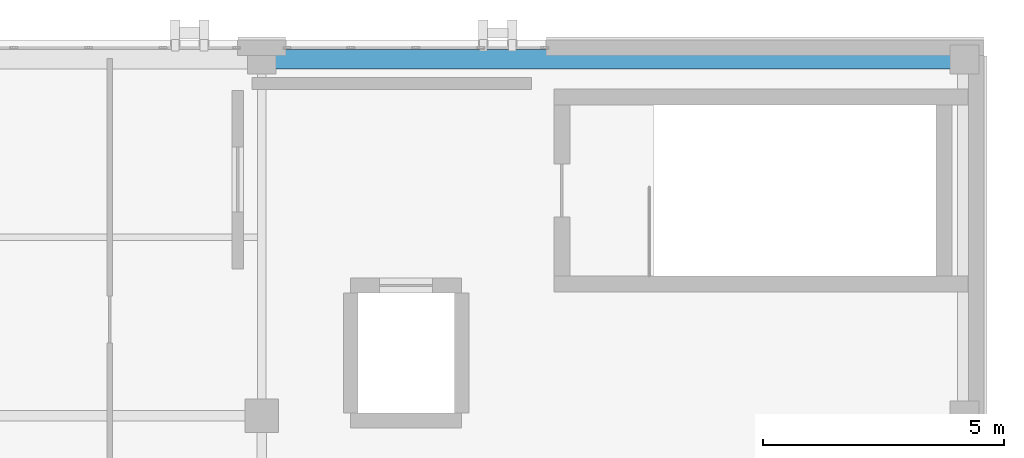
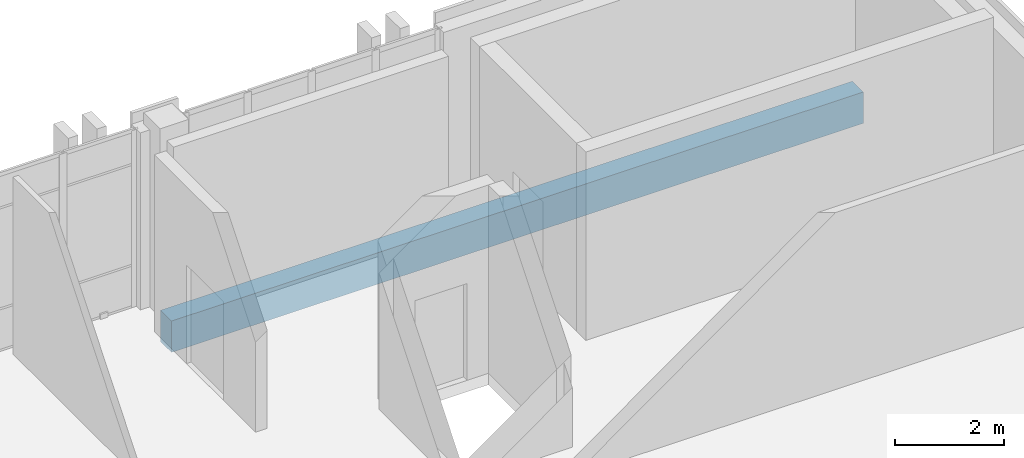
# One storey, part 11 of 19: 1 beam.
"""IFC4 building model written with IfcOpenShell, lengths in metres."""

import ifcopenshell
import ifcopenshell.guid

model = None  # the IFC model being written
_history = None  # IfcOwnerHistory: only IFC2X3 demands one
_inside = {}  # id of a spatial element -> (the spatial element, [elements in it])
_under = {}  # id of a project, library or spatial element -> (it, [spatial elements below it])
_declared = {}  # id of a project -> (the project, [libraries it declares])
_typed = {}  # id of a type object -> (the type object, [elements of that type])
_made_of = {}  # id of a material, layer set ... -> (it, [elements and type objects made of it])


def new_model(schema):
    """Start an empty IFC model of exactly this schema.

    Asked for "IFC4X3", IfcOpenShell would pick the latest addendum, in which some entities
    have other attributes; the version numbers below select the first issue.
    IFC2X3 requires an IfcOwnerHistory on every rooted entity: one is made here for all.
    """
    global model, _history
    if schema == "IFC4X3":
        model = ifcopenshell.file(schema_version=(4, 3, 0, 0))
    else:
        model = ifcopenshell.file(schema=schema)
    _inside.clear()
    _under.clear()
    _declared.clear()
    _typed.clear()
    _made_of.clear()
    _history = None
    if model.schema == "IFC2X3":
        org = make("IfcOrganization", Name="unknown")
        user = make(
            "IfcPersonAndOrganization",
            ThePerson=make("IfcPerson", FamilyName="unknown"),
            TheOrganization=org,
        )
        app = make(
            "IfcApplication",
            ApplicationDeveloper=org,
            Version="unknown",
            ApplicationFullName="unknown",
            ApplicationIdentifier="unknown",
        )
        _history = make(
            "IfcOwnerHistory",
            OwningUser=user,
            OwningApplication=app,
            ChangeAction="ADDED",
            CreationDate=0,
        )
    return model


def make(cls, **values):
    """One entity of the class cls with the attributes given. An attribute that is None is left unset."""
    return model.create_entity(
        cls, **{name: value for name, value in values.items() if value is not None}
    )


def rooted(cls, **values):
    """An entity with a GlobalId (a new one), such as an element, a storey or a relation."""
    return make(cls, GlobalId=ifcopenshell.guid.new(), OwnerHistory=_history, **values)


def si_unit(unit_type, name, prefix=None):
    """IfcSIUnit, for example si_unit("LENGTHUNIT", "METRE", prefix="MILLI")."""
    return make("IfcSIUnit", UnitType=unit_type, Prefix=prefix, Name=name)


def assignment(units):
    """IfcUnitAssignment: the units of a project."""
    return None if units is None else make("IfcUnitAssignment", Units=units)


def point(xyz):
    """IfcCartesianPoint."""
    return None if xyz is None else make("IfcCartesianPoint", Coordinates=xyz)


def direction(xyz):
    """IfcDirection."""
    return None if xyz is None else make("IfcDirection", DirectionRatios=xyz)


def frame(location, z_axis=None, x_axis=None):
    """IfcAxis2Placement3D, a coordinate frame: its origin and axes. An axis left out is left unset."""
    return make(
        "IfcAxis2Placement3D",
        Location=point(location),
        Axis=direction(z_axis),
        RefDirection=direction(x_axis),
    )


def frame_2d(location, x_axis=None):
    """IfcAxis2Placement2D, a coordinate frame in the plane: its origin and x axis."""
    return make(
        "IfcAxis2Placement2D", Location=point(location), RefDirection=direction(x_axis)
    )


def origin():
    """The frame at (0, 0, 0) with its axes left unset."""
    return frame((0.0, 0.0, 0.0))


def origin_2d():
    """The frame at (0, 0) in the plane with its x axis left unset."""
    return frame_2d((0.0, 0.0))


def place(relative_to, where):
    """IfcLocalPlacement: puts the frame where relative to a parent placement (None: the world)."""
    return make(
        "IfcLocalPlacement", PlacementRelTo=relative_to, RelativePlacement=where
    )


def context(
    kind, dimensions, precision=None, world=None, true_north=None, identifier=None
):
    """IfcGeometricRepresentationContext, for example the 3D "Model" context."""
    return make(
        "IfcGeometricRepresentationContext",
        ContextIdentifier=identifier,
        ContextType=kind,
        CoordinateSpaceDimension=dimensions,
        Precision=precision,
        WorldCoordinateSystem=world,
        TrueNorth=true_north,
    )


def subcontext(parent, identifier, kind, view, scale=None):
    """IfcGeometricRepresentationSubContext, for example "Body" below "Model"."""
    return make(
        "IfcGeometricRepresentationSubContext",
        ContextIdentifier=identifier,
        ContextType=kind,
        ParentContext=parent,
        TargetScale=scale,
        TargetView=view,
    )


def project(units=None, contexts=None):
    """IfcProject with its units and contexts."""
    return rooted(
        "IfcProject",
        Name="project",
        RepresentationContexts=contexts,
        UnitsInContext=assignment(units),
    )


def spatial(cls, under=None, at=None, **own):
    """A site, building, storey or space (cls), placed at a placement, below another one or the project."""
    s = rooted(cls, ObjectPlacement=at, **own)
    if under is not None:
        _under.setdefault(under.id(), (under, []))[1].append(s)
    return s


def profile(cls, at=None, kind="AREA", **sizes):
    """A parametric profile (cls). Its sizes go by their IFC names, for example OverallWidth=200.0."""
    return make(cls, ProfileType=kind, Position=at, **sizes)


def rectangle(**sizes):
    """IfcRectangleProfileDef."""
    return profile("IfcRectangleProfileDef", **sizes)


def extrude(swept, where, along, depth):
    """IfcExtrudedAreaSolid: the profile swept, set in the frame where, extruded along a direction by depth."""
    return make(
        "IfcExtrudedAreaSolid",
        SweptArea=swept,
        Position=where,
        ExtrudedDirection=direction(along),
        Depth=depth,
    )


def shape(context_of_items, identifier, shape_type, items):
    """IfcShapeRepresentation: the items that make up one representation, for example the "Body"."""
    return make(
        "IfcShapeRepresentation",
        ContextOfItems=context_of_items,
        RepresentationIdentifier=identifier,
        RepresentationType=shape_type,
        Items=items,
    )


def material(Name=None, Category=None):
    """IfcMaterial."""
    return make("IfcMaterial", Name=Name, Category=Category)


def material_profile(
    of_material, cross_section, Name=None, Category=None, Priority=None
):
    """IfcMaterialProfile: a cross section and its material."""
    return make(
        "IfcMaterialProfile",
        Name=Name,
        Material=of_material,
        Profile=cross_section,
        Priority=Priority,
        Category=Category,
    )


def profile_set(profiles, Name=None, composite=None):
    """IfcMaterialProfileSet."""
    return make(
        "IfcMaterialProfileSet",
        Name=Name,
        MaterialProfiles=profiles,
        CompositeProfile=composite,
    )


def made_of(thing, what):
    """Note that an element or type object is made of a material, layer set ...; save() writes the relation."""
    if what is not None:
        _made_of.setdefault(what.id(), (what, []))[1].append(thing)
    return thing


def type_object(cls, material=None, **own):
    """A type object (cls), such as IfcWallType, which elements share."""
    return made_of(rooted(cls, **own), material)


def element(
    cls,
    number,
    at=None,
    inside=None,
    cuts=None,
    type_object=None,
    material=None,
    context=None,
    identifier="Body",
    shape_type=None,
    held_by="IfcProductDefinitionShape",
    body=None,
    shapes=None,
    **own,
):
    """One element of the class cls, such as IfcWall. Its Tag is "e" and its number.

    at: its placement. inside: the storey or other place that contains it. cuts: it is an
    opening in that element (IfcRelVoidsElement). A single representation is given by context,
    identifier, shape_type and body (its items); several are given by shapes. held_by: the class
    of the entity that holds the representations. save() writes the other relations.
    """
    e = rooted(cls, Tag="e%d" % number, ObjectPlacement=at, **own)
    if body is not None:
        shapes = [shape(context, identifier, shape_type, body)]
    if shapes is not None:
        e.Representation = make(held_by, Representations=shapes)
    if inside is not None:
        _inside.setdefault(inside.id(), (inside, []))[1].append(e)
    if cuts is not None:
        rooted(
            "IfcRelVoidsElement", RelatingBuildingElement=cuts, RelatedOpeningElement=e
        )
    if type_object is not None:
        _typed.setdefault(type_object.id(), (type_object, []))[1].append(e)
    return made_of(e, material)


def aggregate(whole, parts):
    """IfcRelAggregates: a whole, such as a stair, and the parts it consists of."""
    return rooted("IfcRelAggregates", RelatingObject=whole, RelatedObjects=parts)


def save(model, path):
    """Write the relations noted so far, then the file.

    IfcRelAggregates (storeys below a building ...), IfcRelContainedInSpatialStructure (elements
    in a storey), IfcRelDefinesByType, IfcRelAssociatesMaterial and IfcRelDeclares: one each for
    every whole, place, type object, material and project.
    """
    for whole, parts in _under.values():
        aggregate(whole, parts)
    for where, things in _inside.values():
        rooted(
            "IfcRelContainedInSpatialStructure",
            RelatedElements=things,
            RelatingStructure=where,
        )
    for kind, things in _typed.values():
        rooted("IfcRelDefinesByType", RelatedObjects=things, RelatingType=kind)
    for what, things in _made_of.values():
        rooted("IfcRelAssociatesMaterial", RelatedObjects=things, RelatingMaterial=what)
    for by, libraries in _declared.values():
        rooted("IfcRelDeclares", RelatingContext=by, RelatedDefinitions=libraries)
    model.write(path)


model = new_model("IFC4")

# Units and contexts
model_context = context("Model", 3, precision=1e-05, world=origin(), true_north=direction((0.0, 1.0)))
body_context = subcontext(model_context, "Body", "Model", "MODEL_VIEW")
ifc_project = project(units=[si_unit("LENGTHUNIT", "METRE"), si_unit("AREAUNIT", "SQUARE_METRE"), si_unit("VOLUMEUNIT", "CUBIC_METRE"), si_unit("PLANEANGLEUNIT", "RADIAN"), si_unit("MASSUNIT", "GRAM", prefix="KILO")], contexts=[model_context])

# Site, building, storey
site_placement = place(None, origin())
site = spatial("IfcSite", under=ifc_project, at=site_placement, CompositionType="ELEMENT")
building_placement = place(site_placement, origin())
building = spatial("IfcBuilding", under=site, at=building_placement, Name="Qalavern Law Courts", CompositionType="ELEMENT")
storey_placement = place(building_placement, frame((0.0, 0.0, 39.60009765625)))
storey = spatial("IfcBuildingStorey", under=building, at=storey_placement, Name="L09", CompositionType="ELEMENT", Elevation=39.60009765625)

# Beam
ifc_material = material(Name="Concrete C40/50", Category="concrete")
ifc_material_profile = material_profile(ifc_material, rectangle(XDim=0.39990234375, YDim=0.699951171875, at=origin_2d()), Name="RC 400x700")
ifc_profile_set = profile_set([ifc_material_profile], Name="Concrete C40/50")
beam_type = type_object("IfcBeamType", Name="STR-SP-RC400x700", PredefinedType="SPANDREL", material=ifc_profile_set)
beam_placement = place(storey_placement, frame((91.800048828125, 72.800048828125, -0.60498046875), z_axis=(1.0, 0.0, 0.0), x_axis=(0.0, 1.0, 0.0)))
element("IfcBeam", 1, at=beam_placement, inside=storey, type_object=beam_type, Name="V4 X-beam 5-2 L09", PredefinedType="SPANDREL", context=body_context, shape_type="SweptSolid", body=[
    extrude(rectangle(XDim=0.39990234375, YDim=0.699951171875, at=origin_2d()), origin(), (0.0, 0.0, 1.0), 14.599853515625),
])

save(model, "model.ifc")
